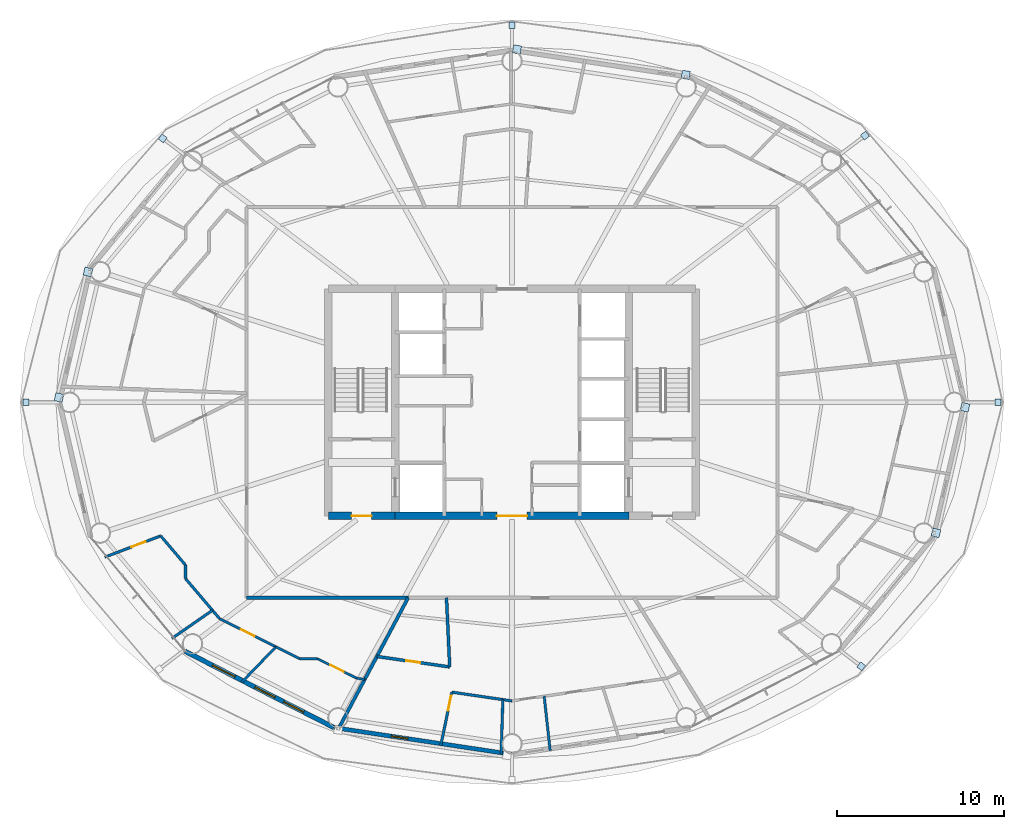
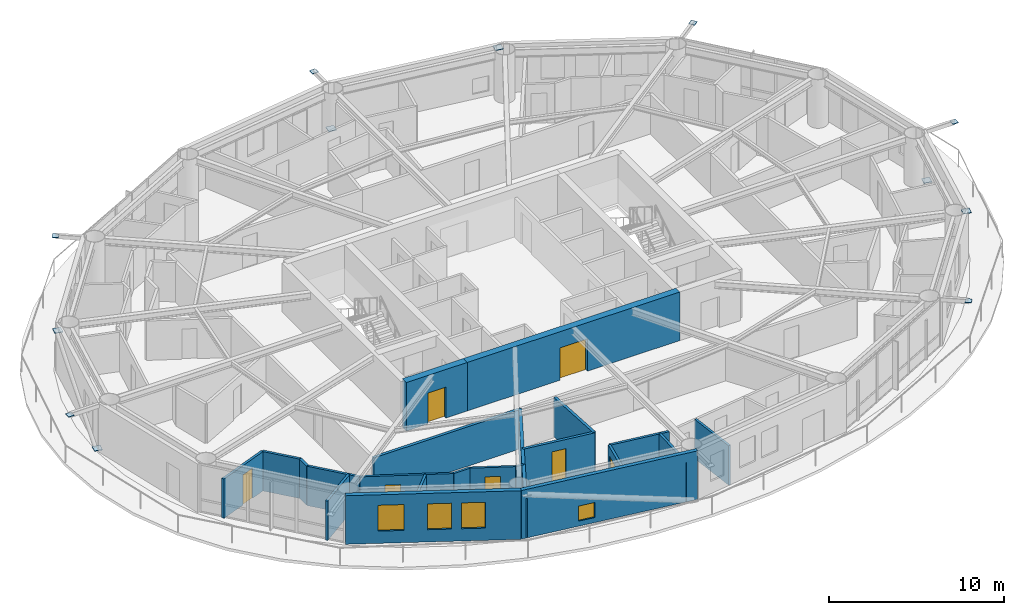
# One storey, part 19 of 27: 24 walls, 12 plates, 7 doors, 4 windows, 11 openings.
"""IFC4 building model written with IfcOpenShell, lengths in metres."""

from ifc_helpers import new_model, si_unit, direction, frame, frame_2d, origin, origin_2d, place, context, subcontext, project, spatial, rectangle, extrude, material, layer, layer_set, type_object, element, fill, save


model = new_model("IFC4")

# Units and contexts
model_context = context("Model", 3, precision=1e-05, world=origin(), true_north=direction((0.0, 1.0)))
body_context = subcontext(model_context, "Body", "Model", "MODEL_VIEW")
ifc_project = project(units=[si_unit("LENGTHUNIT", "METRE"), si_unit("AREAUNIT", "SQUARE_METRE"), si_unit("VOLUMEUNIT", "CUBIC_METRE"), si_unit("PLANEANGLEUNIT", "RADIAN"), si_unit("MASSUNIT", "GRAM", prefix="KILO")], contexts=[model_context])

# Site, building, storey
site_placement = place(None, origin())
site = spatial("IfcSite", under=ifc_project, at=site_placement, CompositionType="ELEMENT")
building_placement = place(site_placement, origin())
building = spatial("IfcBuilding", under=site, at=building_placement, Name="Sarneth Arch Tower", CompositionType="ELEMENT")
storey_placement = place(building_placement, frame((0.0, 0.0, 193.800048828125)))
storey = spatial("IfcBuildingStorey", under=building, at=storey_placement, Name="L49", CompositionType="ELEMENT", Elevation=193.800048828125)

# Plates
ifc_material_1 = material(Name="Steel S355", Category="steel")
ifc_layer_1 = layer(ifc_material_1, 0.035888671875)
ifc_layer_set_1 = layer_set([ifc_layer_1], Name="Steel S355")
plate_type = type_object("IfcPlateType", Name="PLT-GUSSET-30", PredefinedType="SHEET", material=ifc_layer_set_1)
for number, where, z_axis, x_axis, name in (
    (1, (77.10009765625, 42.0, 3.2021484375), (0.0, 0.0, 1.0), (1.0, 0.0, 0.0), "Steel end cap plate GP-1"),
    (2, (69.13818359375, 57.97509765625, 3.2021484375), (0.0, 0.0, 1.0), (0.797794439539, 0.602929541689, 0.0), "Steel end cap plate GP-1"),
):
    element("IfcPlate", number, at=place(storey_placement, frame(where, z_axis=z_axis, x_axis=x_axis)), inside=storey, type_object=plate_type, Name=name, PredefinedType="SHEET", context=body_context, shape_type="SweptSolid", body=[
        extrude(rectangle(XDim=0.3798828125, YDim=0.3798828125, at=origin_2d()), origin(), (0.0, 0.0, 1.0), 0.035888671875),
    ])
for number, where, z_axis, x_axis, name in (
    (3, (48.296630859375, 63.13525390625, 0.001953125), (0.0, 0.0, 1.0), (-0.98883454203, 0.149017611339, 0.0), "Steel end cap plate GP-1"),
    (4, (58.404296875, 61.612548828125, 3.03271484375), (0.0, 0.0, 1.0), (-0.98883454203, 0.149017611339, 0.0), "Steel end cap plate GP-1"),
):
    element("IfcPlate", number, at=place(storey_placement, frame(where, z_axis=z_axis, x_axis=x_axis)), inside=storey, type_object=plate_type, Name=name, PredefinedType="SHEET", context=body_context, shape_type="SweptSolid", body=[
        extrude(rectangle(XDim=0.486083984375, YDim=0.486083984375, at=origin_2d()), origin(), (0.0, 0.0, 1.0), 0.035888671875),
    ])
for number, where, z_axis, x_axis, name in (
    (5, (48.0, 64.5869140625, 3.2021484375), (0.0, 0.0, 1.0), (0.0, 1.0, 0.0), "Steel end cap plate GP-1"),
    (6, (27.0810546875, 57.809326171875, 3.2021484375), (0.0, 0.0, 1.0), (-0.797794439539, 0.602929541689, 0.0), "Steel end cap plate GP-1"),
):
    element("IfcPlate", number, at=place(storey_placement, frame(where, z_axis=z_axis, x_axis=x_axis)), inside=storey, type_object=plate_type, Name=name, PredefinedType="SHEET", context=body_context, shape_type="SweptSolid", body=[
        extrude(rectangle(XDim=0.3798828125, YDim=0.3798828125, at=origin_2d()), origin(), (0.0, 0.0, 1.0), 0.035888671875),
    ])
for number, where, z_axis, x_axis, name in (
    (7, (20.87109375, 42.292236328125, 0.001953125), (0.0, 0.0, 1.0), (-0.225291159947, -0.974291482694, 0.0), "Steel end cap plate GP-1"),
    (8, (22.609619140625, 49.81298828125, 3.03271484375), (0.0, 0.0, 1.0), (-0.225291159947, -0.974291482694, 0.0), "Steel end cap plate GP-1"),
):
    element("IfcPlate", number, at=place(storey_placement, frame(where, z_axis=z_axis, x_axis=x_axis)), inside=storey, type_object=plate_type, Name=name, PredefinedType="SHEET", context=body_context, shape_type="SweptSolid", body=[
        extrude(rectangle(XDim=0.486083984375, YDim=0.486083984375, at=origin_2d()), origin(), (0.0, 0.0, 1.0), 0.035888671875),
    ])
for number, where, z_axis, x_axis, name in (
    (9, (18.89990234375, 42.0, 3.2021484375), (0.0, 0.0, 1.0), (-1.0, 0.0, 0.0), "Steel end cap plate GP-1"),
    (10, (68.9189453125, 26.190673828125, 3.2021484375), (0.0, 0.0, 1.0), (0.797794439539, -0.602929541689, 0.0), "Steel end cap plate GP-1"),
):
    element("IfcPlate", number, at=place(storey_placement, frame(where, z_axis=z_axis, x_axis=x_axis)), inside=storey, type_object=plate_type, Name=name, PredefinedType="SHEET", context=body_context, shape_type="SweptSolid", body=[
        extrude(rectangle(XDim=0.3798828125, YDim=0.3798828125, at=origin_2d()), origin(), (0.0, 0.0, 1.0), 0.035888671875),
    ])
for number, where, z_axis, x_axis, name in (
    (11, (75.12890625, 41.707763671875, 0.001953125), (0.0, 0.0, 1.0), (0.225291159947, 0.974291482694, 0.0), "Steel end cap plate GP-1"),
    (12, (73.390380859375, 34.18701171875, 3.03271484375), (0.0, 0.0, 1.0), (0.225291159947, 0.974291482694, 0.0), "Steel end cap plate GP-1"),
):
    element("IfcPlate", number, at=place(storey_placement, frame(where, z_axis=z_axis, x_axis=x_axis)), inside=storey, type_object=plate_type, Name=name, PredefinedType="SHEET", context=body_context, shape_type="SweptSolid", body=[
        extrude(rectangle(XDim=0.486083984375, YDim=0.486083984375, at=origin_2d()), origin(), (0.0, 0.0, 1.0), 0.035888671875),
    ])

# Wall, opening, door
ifc_material_2 = material(Name="Concrete C50/60", Category="concrete")
ifc_layer_2 = layer(ifc_material_2, 0.449951171875)
ifc_layer_set_2 = layer_set([ifc_layer_2], Name="Concrete C50/60")
wall_type_1 = type_object("IfcWallType", Name="WALL-CORE-450", PredefinedType="SHEAR", material=ifc_layer_set_2)
wall_1_placement = place(storey_placement, frame((37.0, 35.199951171875, 0.0), z_axis=(0.0, 0.0, 1.0), x_axis=(1.0, 0.0, 0.0)))
wall_1 = element("IfcWall", 13, at=wall_1_placement, inside=storey, type_object=wall_type_1, Name="L49 Core shear wall S-W", PredefinedType="SHEAR", context=body_context, shape_type="SweptSolid", body=[
    extrude(rectangle(XDim=4.0, YDim=0.449951171875, at=frame_2d((2.0, 0.0))), origin(), (0.0, 0.0, 1.0), 3.3798828125),
])
opening_1_placement = place(wall_1_placement, frame((1.39990234375, 0.0, 0.0)))
opening_1 = element("IfcOpeningElement", 14, at=opening_1_placement, cuts=wall_1, Name="Opening FD-02", PredefinedType="OPENING", context=body_context, shape_type="SweptSolid", body=[
    extrude(rectangle(XDim=1.199951171875, YDim=2.14990234375, at=frame_2d((0.60009765625, 1.074951171875))), frame((0.0, 0.23486328125, 0.0), z_axis=(0.0, -1.0, 0.0), x_axis=(1.0, 0.0, 0.0)), (0.0, 0.0, 1.0), 0.469970703125),
])
ifc_material_3 = material(Name="Galvanised Steel S275 fire door set", Category="steel")
door_type_1 = type_object("IfcDoorType", Name="DR-FD90-1200", OperationType="SINGLE_SWING_LEFT", PredefinedType="DOOR", material=ifc_material_3)
door_1_placement = place(opening_1_placement, origin())
door_1 = element("IfcDoor", 15, at=door_1_placement, inside=storey, type_object=door_type_1, Name="L49 Firefighting lobby 1 exit door", OperationType="SINGLE_SWING_LEFT", OverallHeight=2.14990234375, OverallWidth=1.199951171875, PredefinedType="DOOR", context=body_context, shape_type="SweptSolid", body=[
    extrude(rectangle(XDim=1.199951171875, YDim=2.14990234375, at=frame_2d((0.60009765625, 1.074951171875))), frame((0.0, 0.02490234375, 0.0), z_axis=(0.0, -1.0, 0.0), x_axis=(1.0, 0.0, 0.0)), (0.0, 0.0, 1.0), 0.050048828125),
])
fill(opening_1, door_1)

wall_2_placement = place(storey_placement, frame((41.0, 35.199951171875, 0.0), z_axis=(0.0, 0.0, 1.0), x_axis=(1.0, 0.0, 0.0)))
wall_2 = element("IfcWall", 16, at=wall_2_placement, inside=storey, type_object=wall_type_1, Name="L49 Core shear wall S-M", PredefinedType="SHEAR", context=body_context, shape_type="SweptSolid", body=[
    extrude(rectangle(XDim=14.0, YDim=0.449951171875, at=frame_2d((7.0, 0.0))), origin(), (0.0, 0.0, 1.0), 3.3798828125),
])
opening_2_placement = place(wall_2_placement, frame((6.10009765625, 0.0, 0.0)))
opening_2 = element("IfcOpeningElement", 17, at=opening_2_placement, cuts=wall_2, Name="Opening FD-01", PredefinedType="OPENING", context=body_context, shape_type="SweptSolid", body=[
    extrude(rectangle(XDim=1.800048828125, YDim=2.25, at=frame_2d((0.89990234375, 1.125))), frame((0.0, 0.23486328125, 0.0), z_axis=(0.0, -1.0, 0.0), x_axis=(1.0, 0.0, 0.0)), (0.0, 0.0, 1.0), 0.469970703125),
])
ifc_material_4 = material(Name="Galvanised Steel S275 fire door set", Category="steel")
door_type_2 = type_object("IfcDoorType", Name="DR-FD90-1800", OperationType="DOUBLE_DOOR_SINGLE_SWING", PredefinedType="DOOR", material=ifc_material_4)
door_2_placement = place(opening_2_placement, origin())
door_2 = element("IfcDoor", 18, at=door_2_placement, inside=storey, type_object=door_type_2, Name="L49 Central lift lobby south door", OperationType="DOUBLE_DOOR_SINGLE_SWING", OverallHeight=2.25, OverallWidth=1.800048828125, PredefinedType="DOOR", context=body_context, shape_type="SweptSolid", body=[
    extrude(rectangle(XDim=1.800048828125, YDim=2.25, at=frame_2d((0.89990234375, 1.125))), frame((0.0, 0.02490234375, 0.0), z_axis=(0.0, -1.0, 0.0), x_axis=(1.0, 0.0, 0.0)), (0.0, 0.0, 1.0), 0.050048828125),
])
fill(opening_2, door_2)

# Wall
ifc_material_5 = material(Name="Double steel-stud corridor fire wall", Category="steel")
ifc_layer_3 = layer(ifc_material_5, 0.18994140625)
ifc_layer_set_3 = layer_set([ifc_layer_3], Name="Double steel-stud corridor fire wall")
wall_type_2 = type_object("IfcWallType", Name="WALL-CORR-190", PredefinedType="PARTITIONING", material=ifc_layer_set_3)
wall_3_placement = place(storey_placement, frame((41.815185546875, 30.300048828125, 0.0), z_axis=(0.0, 0.0, 1.0), x_axis=(-1.0, 0.0, 0.0)))
element("IfcWall", 19, at=wall_3_placement, inside=storey, type_object=wall_type_2, Name="L49 Interior partition W-L49-TP-011", PredefinedType="PARTITIONING", context=body_context, shape_type="SweptSolid", body=[
    extrude(rectangle(XDim=9.715087890625, YDim=0.18994140625, at=frame_2d((4.857421875, 0.0))), origin(), (0.0, 0.0, 1.0), 2.739990234375),
])

# Wall, opening, window
ifc_material_6 = material(Name="Extruded terracotta rainscreen on Concrete C40/50 backing", Category="masonry")
ifc_layer_4 = layer(ifc_material_6, 0.25)
ifc_layer_set_4 = layer_set([ifc_layer_4], Name="Extruded terracotta rainscreen on Concrete C40/50 backing")
wall_type_3 = type_object("IfcWallType", Name="WALL-EXT-SPAND-250", PredefinedType="SOLIDWALL", material=ifc_layer_set_4)
wall_4_placement = place(storey_placement, frame((37.337158203125, 22.524658203125, 0.0), z_axis=(0.0, 0.0, 1.0), x_axis=(0.988863993413, -0.148822049884, 0.0)))
wall_4 = element("IfcWall", 20, at=wall_4_placement, inside=storey, type_object=wall_type_3, Name="L49 Terracotta perimeter wall 12", PredefinedType="SOLIDWALL", context=body_context, shape_type="SweptSolid", body=[
    extrude(rectangle(XDim=10.782958984375, YDim=0.25, at=frame_2d((5.3916015625, 0.0))), origin(), (0.0, 0.0, 1.0), 3.3798828125),
])
opening_3_placement = place(wall_4_placement, frame((3.482177734375, 0.0, 0.35009765625)))
opening_3 = element("IfcOpeningElement", 21, at=opening_3_placement, cuts=wall_4, Name="Opening W-14", PredefinedType="OPENING", context=body_context, shape_type="SweptSolid", body=[
    extrude(rectangle(XDim=1.0, YDim=1.050048828125, at=frame_2d((0.5, 0.52490234375))), frame((0.0, 0.135009765625, 0.0), z_axis=(0.0, -1.0, 0.0), x_axis=(1.0, 0.0, 0.0)), (0.0, 0.0, 1.0), 0.27001953125),
])
ifc_material_7 = material(Name="Thermally broken Aluminium 6063-T6 and low-e laminated IGU", Category="aluminium")
window_type_1 = type_object("IfcWindowType", Name="WIN-TWR-1000x1050", PartitioningType="SINGLE_PANEL", PredefinedType="WINDOW", material=ifc_material_7)
window_1_placement = place(opening_3_placement, origin())
window_1 = element("IfcWindow", 22, at=window_1_placement, inside=storey, type_object=window_type_1, Name="L49 Dwelling bedroom window 03", OverallHeight=1.050048828125, OverallWidth=1.0, PartitioningType="SINGLE_PANEL", PredefinedType="WINDOW", context=body_context, shape_type="SweptSolid", body=[
    extrude(rectangle(XDim=1.0, YDim=1.050048828125, at=frame_2d((0.5, 0.52490234375))), frame((0.0, 0.030029296875, 0.0), z_axis=(0.0, -1.0, 0.0), x_axis=(1.0, 0.0, 0.0)), (0.0, 0.0, 1.0), 0.06005859375),
])
fill(opening_3, window_1)

# Wall, openings, windows
ifc_material_8 = material(Name="Extruded terracotta rainscreen on Concrete C40/50 backing", Category="masonry")
ifc_layer_5 = layer(ifc_material_8, 0.280029296875)
ifc_layer_set_5 = layer_set([ifc_layer_5], Name="Extruded terracotta rainscreen on Concrete C40/50 backing")
wall_type_4 = type_object("IfcWallType", Name="WALL-EXT-TERRA-280", PredefinedType="SOLIDWALL", material=ifc_layer_set_5)
wall_5_placement = place(storey_placement, frame((28.423828125, 27.09423828125, 0.0), z_axis=(0.0, 0.0, 1.0), x_axis=(0.889872523182, -0.456209263919, 0.0)))
wall_5 = element("IfcWall", 23, at=wall_5_placement, inside=storey, type_object=wall_type_4, Name="L49 Terracotta perimeter wall 11", PredefinedType="SOLIDWALL", context=body_context, shape_type="SweptSolid", body=[
    extrude(rectangle(XDim=10.016357421875, YDim=0.280029296875, at=frame_2d((5.00830078125, 0.0))), origin(), (0.0, 0.0, 1.0), 3.3798828125),
])
opening_4_placement = place(wall_5_placement, frame((1.85009765625, 0.0, 0.85009765625)))
opening_4 = element("IfcOpeningElement", 24, at=opening_4_placement, cuts=wall_5, Name="Opening W-07", PredefinedType="OPENING", context=body_context, shape_type="SweptSolid", body=[
    extrude(rectangle(XDim=1.5, YDim=1.800048828125, at=frame_2d((0.75, 0.89990234375))), frame((0.0, 0.14990234375, 0.0), z_axis=(0.0, -1.0, 0.0), x_axis=(1.0, 0.0, 0.0)), (0.0, 0.0, 1.0), 0.300048828125),
])
opening_5_placement = place(wall_5_placement, frame((4.695068359375, 0.0, 0.85009765625)))
opening_5 = element("IfcOpeningElement", 25, at=opening_5_placement, cuts=wall_5, Name="Opening W-08", PredefinedType="OPENING", context=body_context, shape_type="SweptSolid", body=[
    extrude(rectangle(XDim=1.35009765625, YDim=1.800048828125, at=frame_2d((0.675048828125, 0.89990234375))), frame((0.0, 0.14990234375, 0.0), z_axis=(0.0, -1.0, 0.0), x_axis=(1.0, 0.0, 0.0)), (0.0, 0.0, 1.0), 0.300048828125),
])
opening_6_placement = place(wall_5_placement, frame((6.630126953125, 0.0, 0.85009765625)))
opening_6 = element("IfcOpeningElement", 26, at=opening_6_placement, cuts=wall_5, Name="Opening W-08", PredefinedType="OPENING", context=body_context, shape_type="SweptSolid", body=[
    extrude(rectangle(XDim=1.35009765625, YDim=1.800048828125, at=frame_2d((0.675048828125, 0.89990234375))), frame((0.0, 0.14990234375, 0.0), z_axis=(0.0, -1.0, 0.0), x_axis=(1.0, 0.0, 0.0)), (0.0, 0.0, 1.0), 0.300048828125),
])
ifc_material_9 = material(Name="Thermally broken Aluminium 6063-T6 and low-e laminated IGU", Category="aluminium")
window_type_2 = type_object("IfcWindowType", Name="WIN-TWR-1350x1800", PartitioningType="SINGLE_PANEL", PredefinedType="WINDOW", material=ifc_material_9)
window_2_placement = place(opening_5_placement, origin())
window_2 = element("IfcWindow", 27, at=window_2_placement, inside=storey, type_object=window_type_2, Name="L49 Exterior window 11B", OverallHeight=1.800048828125, OverallWidth=1.35009765625, PartitioningType="SINGLE_PANEL", PredefinedType="WINDOW", context=body_context, shape_type="SweptSolid", body=[
    extrude(rectangle(XDim=1.35009765625, YDim=1.800048828125, at=frame_2d((0.675048828125, 0.89990234375))), frame((0.0, 0.030029296875, 0.0), z_axis=(0.0, -1.0, 0.0), x_axis=(1.0, 0.0, 0.0)), (0.0, 0.0, 1.0), 0.06005859375),
])
fill(opening_5, window_2)
window_3_placement = place(opening_6_placement, origin())
window_3 = element("IfcWindow", 28, at=window_3_placement, inside=storey, type_object=window_type_2, Name="L49 Exterior window 11C", OverallHeight=1.800048828125, OverallWidth=1.35009765625, PartitioningType="SINGLE_PANEL", PredefinedType="WINDOW", context=body_context, shape_type="SweptSolid", body=[
    extrude(rectangle(XDim=1.35009765625, YDim=1.800048828125, at=frame_2d((0.675048828125, 0.89990234375))), frame((0.0, 0.030029296875, 0.0), z_axis=(0.0, -1.0, 0.0), x_axis=(1.0, 0.0, 0.0)), (0.0, 0.0, 1.0), 0.06005859375),
])
fill(opening_6, window_3)
ifc_material_10 = material(Name="Thermally broken Aluminium 6063-T6 and low-e laminated IGU", Category="aluminium")
window_type_3 = type_object("IfcWindowType", Name="WIN-TWR-1500x1800", PartitioningType="SINGLE_PANEL", PredefinedType="WINDOW", material=ifc_material_10)
window_4_placement = place(opening_4_placement, origin())
window_4 = element("IfcWindow", 29, at=window_4_placement, inside=storey, type_object=window_type_3, Name="L49 Exterior window 11A", OverallHeight=1.800048828125, OverallWidth=1.5, PartitioningType="SINGLE_PANEL", PredefinedType="WINDOW", context=body_context, shape_type="SweptSolid", body=[
    extrude(rectangle(XDim=1.5, YDim=1.800048828125, at=frame_2d((0.75, 0.89990234375))), frame((0.0, 0.030029296875, 0.0), z_axis=(0.0, -1.0, 0.0), x_axis=(1.0, 0.0, 0.0)), (0.0, 0.0, 1.0), 0.06005859375),
])
fill(opening_4, window_4)

# Wall, opening, door
ifc_material_11 = material(Name="Apartment internal stud partition", Category="gypsum")
ifc_layer_6 = layer(ifc_material_11, 0.139892578125)
ifc_layer_set_6 = layer_set([ifc_layer_6], Name="Apartment internal stud partition")
wall_type_5 = type_object("IfcWallType", Name="WALL-PART-140", PredefinedType="PARTITIONING", material=ifc_layer_set_6)
wall_6_placement = place(storey_placement, frame((36.348876953125, 26.64990234375, 0.0), z_axis=(0.0, 0.0, 1.0), x_axis=(0.895041110332, -0.445983644112, 0.0)))
wall_6 = element("IfcWall", 30, at=wall_6_placement, inside=storey, type_object=wall_type_5, Name="L49 Interior partition W-L49-TP-087", PredefinedType="PARTITIONING", context=body_context, shape_type="SweptSolid", body=[
    extrude(rectangle(XDim=2.62109375, YDim=0.139892578125, at=frame_2d((1.310546875, 0.0))), origin(), (0.0, 0.0, 1.0), 2.739990234375),
])
opening_7_placement = place(wall_6_placement, frame((0.860595703125, 0.0, 0.0)))
opening_7 = element("IfcOpeningElement", 31, at=opening_7_placement, cuts=wall_6, Name="Opening ID-01", PredefinedType="OPENING", context=body_context, shape_type="SweptSolid", body=[
    extrude(rectangle(XDim=0.89990234375, YDim=2.10009765625, at=frame_2d((0.449951171875, 1.050048828125))), frame((0.0, 0.079833984375, 0.0), z_axis=(0.0, -1.0, 0.0), x_axis=(1.0, 0.0, 0.0)), (0.0, 0.0, 1.0), 0.159912109375),
])
ifc_material_12 = material(Name="Engineered hardwood flush door", Category="wood")
door_type_3 = type_object("IfcDoorType", Name="DR-INT-900", OperationType="SINGLE_SWING_LEFT", PredefinedType="DOOR", material=ifc_material_12)
door_3_placement = place(opening_7_placement, origin())
door_3 = element("IfcDoor", 32, at=door_3_placement, inside=storey, type_object=door_type_3, Name="L49 Interior door DR-L49-U4-BED2", OperationType="SINGLE_SWING_LEFT", OverallHeight=2.10009765625, OverallWidth=0.89990234375, PredefinedType="DOOR", context=body_context, shape_type="SweptSolid", body=[
    extrude(rectangle(XDim=0.89990234375, YDim=2.10009765625, at=frame_2d((0.449951171875, 1.050048828125))), frame((0.0, 0.02490234375, 0.0), z_axis=(0.0, -1.0, 0.0), x_axis=(1.0, 0.0, 0.0)), (0.0, 0.0, 1.0), 0.050048828125),
])
fill(opening_7, door_3)

# Walls
wall_7_placement = place(storey_placement, frame((33.8623046875, 27.360107421875, 0.0), z_axis=(0.0, 0.0, 1.0), x_axis=(0.894917522296, -0.446231585937, 0.0)))
element("IfcWall", 33, at=wall_7_placement, inside=storey, type_object=wall_type_5, Name="L49 Interior partition W-L49-TP-085", PredefinedType="PARTITIONING", context=body_context, shape_type="SweptSolid", body=[
    extrude(rectangle(XDim=1.591552734375, YDim=0.139892578125, at=frame_2d((0.7958984375, 0.0))), origin(), (0.0, 0.0, 1.0), 2.739990234375),
])
wall_8_placement = place(storey_placement, frame((35.28662109375, 26.64990234375, 0.0), z_axis=(0.0, 0.0, 1.0), x_axis=(1.0, 0.0, 0.0)))
element("IfcWall", 34, at=wall_8_placement, inside=storey, type_object=wall_type_5, Name="L49 Interior partition W-L49-TP-086", PredefinedType="PARTITIONING", context=body_context, shape_type="SweptSolid", body=[
    extrude(rectangle(XDim=1.062255859375, YDim=0.139892578125, at=frame_2d((0.53125, 0.0))), origin(), (0.0, 0.0, 1.0), 2.739990234375),
])
wall_9_placement = place(storey_placement, frame((38.69482421875, 25.48095703125, 0.0), z_axis=(0.0, 0.0, 1.0), x_axis=(0.989485449351, -0.144632449754, 0.0)))
element("IfcWall", 35, at=wall_9_placement, inside=storey, type_object=wall_type_5, Name="L49 Interior partition W-L49-TP-088", PredefinedType="PARTITIONING", context=body_context, shape_type="SweptSolid", body=[
    extrude(rectangle(XDim=0.489501953125, YDim=0.139892578125, at=frame_2d((0.24462890625, 0.0))), origin(), (0.0, 0.0, 1.0), 2.739990234375),
])

# Wall, opening, door
ifc_material_13 = material(Name="Acoustic gypsum stud partition", Category="gypsum")
ifc_layer_7 = layer(ifc_material_13, 0.14990234375)
ifc_layer_set_7 = layer_set([ifc_layer_7], Name="Acoustic gypsum stud partition")
wall_type_6 = type_object("IfcWallType", Name="WALL-PART-150", PredefinedType="PARTITIONING", material=ifc_layer_set_7)
wall_10_placement = place(storey_placement, frame((30.4951171875, 29.038818359375, 0.0), z_axis=(0.0, 0.0, 1.0), x_axis=(0.894945698469, -0.44617507415, 0.0)))
wall_10 = element("IfcWall", 36, at=wall_10_placement, inside=storey, type_object=wall_type_6, Name="L49 Interior partition W-L49-TP-084", PredefinedType="PARTITIONING", context=body_context, shape_type="SweptSolid", body=[
    extrude(rectangle(XDim=3.762451171875, YDim=0.14990234375, at=frame_2d((1.88134765625, 0.0))), origin(), (0.0, 0.0, 1.0), 2.739990234375),
])
opening_8_placement = place(wall_10_placement, frame((1.43115234375, 0.0, 0.0)))
opening_8 = element("IfcOpeningElement", 37, at=opening_8_placement, cuts=wall_10, Name="Opening ID-01", PredefinedType="OPENING", context=body_context, shape_type="SweptSolid", body=[
    extrude(rectangle(XDim=0.89990234375, YDim=2.10009765625, at=frame_2d((0.449951171875, 1.050048828125))), frame((0.0, 0.0849609375, 0.0), z_axis=(0.0, -1.0, 0.0), x_axis=(1.0, 0.0, 0.0)), (0.0, 0.0, 1.0), 0.169921875),
])
door_4_placement = place(opening_8_placement, origin())
door_4 = element("IfcDoor", 38, at=door_4_placement, inside=storey, type_object=door_type_3, Name="L49 Interior door DR-L49-U4-BED1", OperationType="SINGLE_SWING_LEFT", OverallHeight=2.10009765625, OverallWidth=0.89990234375, PredefinedType="DOOR", context=body_context, shape_type="SweptSolid", body=[
    extrude(rectangle(XDim=0.89990234375, YDim=2.10009765625, at=frame_2d((0.449951171875, 1.050048828125))), frame((0.0, 0.02490234375, 0.0), z_axis=(0.0, -1.0, 0.0), x_axis=(1.0, 0.0, 0.0)), (0.0, 0.0, 1.0), 0.050048828125),
])
fill(opening_8, door_4)

# Walls
wall_11_placement = place(storey_placement, frame((50.28466796875, 21.142578125, 0.0), z_axis=(0.0, 0.0, 1.0), x_axis=(-0.108935832995, 0.994048783657, 0.0)))
element("IfcWall", 39, at=wall_11_placement, inside=storey, type_object=wall_type_6, Name="L49 Interior partition W-L49-TP-105", PredefinedType="PARTITIONING", context=body_context, shape_type="SweptSolid", body=[
    extrude(rectangle(XDim=3.27880859375, YDim=0.14990234375, at=frame_2d((1.639404296875, 0.0))), origin(), (0.0, 0.0, 1.0), 2.739990234375),
])
wall_12_placement = place(storey_placement, frame((33.8623046875, 27.360107421875, 0.0), z_axis=(0.0, 0.0, 1.0), x_axis=(-0.694625426755, -0.719371612246, 0.0)))
element("IfcWall", 40, at=wall_12_placement, inside=storey, type_object=wall_type_6, Name="L49 Interior partition W-L49-TP-092", PredefinedType="PARTITIONING", context=body_context, shape_type="SweptSolid", body=[
    extrude(rectangle(XDim=2.959716796875, YDim=0.14990234375, at=frame_2d((1.47998046875, 0.0))), origin(), (0.0, 0.0, 1.0), 2.739990234375),
])

# Wall, opening, door
ifc_material_14 = material(Name="Kitchen wet service chase wall", Category="gypsum")
ifc_layer_8 = layer(ifc_material_14, 0.159912109375)
ifc_layer_set_8 = layer_set([ifc_layer_8], Name="Kitchen wet service chase wall")
wall_type_7 = type_object("IfcWallType", Name="WALL-PLUMB-160", PredefinedType="PLUMBINGWALL", material=ifc_layer_set_8)
wall_13_placement = place(storey_placement, frame((26.961669921875, 34.004638671875, 0.0), z_axis=(0.0, 0.0, 1.0), x_axis=(-0.934799422257, -0.355176069222, 0.0)))
wall_13 = element("IfcWall", 41, at=wall_13_placement, inside=storey, type_object=wall_type_7, Name="L49 Interior partition W-L49-TP-079", PredefinedType="PLUMBINGWALL", context=body_context, shape_type="SweptSolid", body=[
    extrude(rectangle(XDim=3.58203125, YDim=0.159912109375, at=frame_2d((1.791015625, 0.0))), origin(), (0.0, 0.0, 1.0), 2.739990234375),
])
opening_9_placement = place(wall_13_placement, frame((0.98095703125, 0.0, 0.0)))
opening_9 = element("IfcOpeningElement", 42, at=opening_9_placement, cuts=wall_13, Name="Opening ID-01", PredefinedType="OPENING", context=body_context, shape_type="SweptSolid", body=[
    extrude(rectangle(XDim=0.89990234375, YDim=2.10009765625, at=frame_2d((0.449951171875, 1.050048828125))), frame((0.0, 0.08984375, 0.0), z_axis=(0.0, -1.0, 0.0), x_axis=(1.0, 0.0, 0.0)), (0.0, 0.0, 1.0), 0.179931640625),
])
door_5_placement = place(opening_9_placement, origin())
door_5 = element("IfcDoor", 43, at=door_5_placement, inside=storey, type_object=door_type_3, Name="L49 Interior door DR-L49-U4-KIT", OperationType="SINGLE_SWING_RIGHT", OverallHeight=2.10009765625, OverallWidth=0.89990234375, PredefinedType="DOOR", context=body_context, shape_type="SweptSolid", body=[
    extrude(rectangle(XDim=0.89990234375, YDim=2.10009765625, at=frame_2d((0.449951171875, 1.050048828125))), frame((0.0, 0.02490234375, 0.0), z_axis=(0.0, -1.0, 0.0), x_axis=(1.0, 0.0, 0.0)), (0.0, 0.0, 1.0), 0.050048828125),
])
fill(opening_9, door_5)

# Wall
wall_14_placement = place(storey_placement, frame((47.451416015625, 24.2001953125, 0.0), z_axis=(0.0, 0.0, 1.0), x_axis=(-0.03081032148, -0.999525249351, 0.0)))
element("IfcWall", 44, at=wall_14_placement, inside=storey, type_object=wall_type_7, Name="L49 Interior partition W-L49-TP-104", PredefinedType="PLUMBINGWALL", context=body_context, shape_type="SweptSolid", body=[
    extrude(rectangle(XDim=3.30419921875, YDim=0.159912109375, at=frame_2d((1.652099609375, 0.0))), origin(), (0.0, 0.0, 1.0), 2.739990234375),
])

# Wall, opening, door
wall_15_placement = place(storey_placement, frame((43.733154296875, 21.44091796875, 0.0), z_axis=(0.0, 0.0, 1.0), x_axis=(0.203194875639, 0.979138316334, 0.0)))
wall_15 = element("IfcWall", 45, at=wall_15_placement, inside=storey, type_object=wall_type_7, Name="L49 Interior partition W-L49-TP-094", PredefinedType="PLUMBINGWALL", context=body_context, shape_type="SweptSolid", body=[
    extrude(rectangle(XDim=3.274169921875, YDim=0.159912109375, at=frame_2d((1.63720703125, 0.0))), origin(), (0.0, 0.0, 1.0), 2.739990234375),
])
opening_10_placement = place(wall_15_placement, frame((2.147216796875, 0.0, 0.0)))
opening_10 = element("IfcOpeningElement", 46, at=opening_10_placement, cuts=wall_15, Name="Opening ID-01", PredefinedType="OPENING", context=body_context, shape_type="SweptSolid", body=[
    extrude(rectangle(XDim=0.89990234375, YDim=2.10009765625, at=frame_2d((0.449951171875, 1.050048828125))), frame((0.0, 0.08984375, 0.0), z_axis=(0.0, -1.0, 0.0), x_axis=(1.0, 0.0, 0.0)), (0.0, 0.0, 1.0), 0.179931640625),
])
door_6_placement = place(opening_10_placement, origin())
door_6 = element("IfcDoor", 47, at=door_6_placement, inside=storey, type_object=door_type_3, Name="L49 Interior door DR-L49-U5-KIT", OperationType="SINGLE_SWING_RIGHT", OverallHeight=2.10009765625, OverallWidth=0.89990234375, PredefinedType="DOOR", context=body_context, shape_type="SweptSolid", body=[
    extrude(rectangle(XDim=0.89990234375, YDim=2.10009765625, at=frame_2d((0.449951171875, 1.050048828125))), frame((0.0, 0.02490234375, 0.0), z_axis=(0.0, -1.0, 0.0), x_axis=(1.0, 0.0, 0.0)), (0.0, 0.0, 1.0), 0.050048828125),
])
fill(opening_10, door_6)

# Walls
wall_16_placement = place(storey_placement, frame((44.3984375, 24.646728515625, 0.0), z_axis=(0.0, 0.0, 1.0), x_axis=(0.989478635987, -0.144679054896, 0.0)))
element("IfcWall", 48, at=wall_16_placement, inside=storey, type_object=wall_type_7, Name="L49 Interior partition W-L49-TP-095", PredefinedType="PLUMBINGWALL", context=body_context, shape_type="SweptSolid", body=[
    extrude(rectangle(XDim=3.639892578125, YDim=0.159912109375, at=frame_2d((1.81982421875, 0.0))), origin(), (0.0, 0.0, 1.0), 2.739990234375),
])
wall_17_placement = place(storey_placement, frame((30.061767578125, 29.54833984375, 0.0), z_axis=(0.0, 0.0, 1.0), x_axis=(-0.821498907673, -0.570210088207, 0.0)))
element("IfcWall", 49, at=wall_17_placement, inside=storey, type_object=wall_type_7, Name="L49 Interior partition W-L49-TP-091", PredefinedType="PLUMBINGWALL", context=body_context, shape_type="SweptSolid", body=[
    extrude(rectangle(XDim=2.95654296875, YDim=0.159912109375, at=frame_2d((1.478271484375, 0.0))), origin(), (0.0, 0.0, 1.0), 2.739990234375),
])
wall_18_placement = place(storey_placement, frame((30.4951171875, 29.038818359375, 0.0), z_axis=(0.0, 0.0, 1.0), x_axis=(-0.647888606369, 0.761735094201, 0.0)))
element("IfcWall", 50, at=wall_18_placement, inside=storey, type_object=wall_type_7, Name="L49 Interior partition W-L49-TP-076", PredefinedType="PLUMBINGWALL", context=body_context, shape_type="SweptSolid", body=[
    extrude(rectangle(XDim=3.15673828125, YDim=0.159912109375, at=frame_2d((1.578369140625, 0.0))), origin(), (0.0, 0.0, 1.0), 2.739990234375),
])
wall_19_placement = place(storey_placement, frame((28.449951171875, 32.255615234375, 0.0), z_axis=(0.0, 0.0, 1.0), x_axis=(-0.648055662854, 0.761592973866, 0.0)))
element("IfcWall", 51, at=wall_19_placement, inside=storey, type_object=wall_type_7, Name="L49 Interior partition W-L49-TP-078", PredefinedType="PLUMBINGWALL", context=body_context, shape_type="SweptSolid", body=[
    extrude(rectangle(XDim=2.296630859375, YDim=0.159912109375, at=frame_2d((1.1484375, 0.0))), origin(), (0.0, 0.0, 1.0), 2.739990234375),
])
wall_20_placement = place(storey_placement, frame((28.449951171875, 31.443359375, 0.0), z_axis=(0.0, 0.0, 1.0), x_axis=(0.0, 1.0, 0.0)))
element("IfcWall", 52, at=wall_20_placement, inside=storey, type_object=wall_type_7, Name="L49 Interior partition W-L49-TP-077", PredefinedType="PLUMBINGWALL", context=body_context, shape_type="SweptSolid", body=[
    extrude(rectangle(XDim=0.812255859375, YDim=0.159912109375, at=frame_2d((0.40625, 0.0))), origin(), (0.0, 0.0, 1.0), 2.739990234375),
])

# Wall, opening, door
ifc_material_15 = material(Name="Moisture-resistant plumbing chase wall", Category="gypsum")
ifc_layer_9 = layer(ifc_material_15, 0.179931640625)
ifc_layer_set_9 = layer_set([ifc_layer_9], Name="Moisture-resistant plumbing chase wall")
wall_type_8 = type_object("IfcWallType", Name="WALL-PLUMB-180", PredefinedType="PLUMBINGWALL", material=ifc_layer_set_9)
wall_21_placement = place(storey_placement, frame((39.908935546875, 26.782958984375, 0.0), z_axis=(0.0, 0.0, 1.0), x_axis=(0.989831677838, -0.142243627443, 0.0)))
wall_21 = element("IfcWall", 53, at=wall_21_placement, inside=storey, type_object=wall_type_8, Name="L49 Interior partition W-L49-TP-096", PredefinedType="PLUMBINGWALL", context=body_context, shape_type="SweptSolid", body=[
    extrude(rectangle(XDim=4.406005859375, YDim=0.179931640625, at=frame_2d((2.203125, 0.0))), origin(), (0.0, 0.0, 1.0), 2.739990234375),
])
opening_11_placement = place(wall_21_placement, frame((1.77783203125, 0.0, 0.0)))
opening_11 = element("IfcOpeningElement", 54, at=opening_11_placement, cuts=wall_21, Name="Opening ID-02", PredefinedType="OPENING", context=body_context, shape_type="SweptSolid", body=[
    extrude(rectangle(XDim=0.85009765625, YDim=2.10009765625, at=frame_2d((0.425048828125, 1.050048828125))), frame((0.0, 0.099853515625, 0.0), z_axis=(0.0, -1.0, 0.0), x_axis=(1.0, 0.0, 0.0)), (0.0, 0.0, 1.0), 0.199951171875),
])
ifc_material_16 = material(Name="Moisture-resistant bathroom timber door", Category="wood")
door_type_4 = type_object("IfcDoorType", Name="DR-INT-850", OperationType="SINGLE_SWING_RIGHT", PredefinedType="DOOR", material=ifc_material_16)
door_7_placement = place(opening_11_placement, origin())
door_7 = element("IfcDoor", 55, at=door_7_placement, inside=storey, type_object=door_type_4, Name="L49 Interior door DR-L49-U5-BATH", OperationType="SINGLE_SWING_RIGHT", OverallHeight=2.10009765625, OverallWidth=0.85009765625, PredefinedType="DOOR", context=body_context, shape_type="SweptSolid", body=[
    extrude(rectangle(XDim=0.85009765625, YDim=2.10009765625, at=frame_2d((0.425048828125, 1.050048828125))), frame((0.0, 0.02490234375, 0.0), z_axis=(0.0, -1.0, 0.0), x_axis=(1.0, 0.0, 0.0)), (0.0, 0.0, 1.0), 0.050048828125),
])
fill(opening_11, door_7)

# Walls
wall_22_placement = place(storey_placement, frame((44.27001953125, 26.15625, 0.0), z_axis=(0.0, 0.0, 1.0), x_axis=(-0.046552902745, 0.998915825906, 0.0)))
element("IfcWall", 56, at=wall_22_placement, inside=storey, type_object=wall_type_8, Name="L49 Interior partition W-L49-TP-097", PredefinedType="PLUMBINGWALL", context=body_context, shape_type="SweptSolid", body=[
    extrude(rectangle(XDim=4.148193359375, YDim=0.179931640625, at=frame_2d((2.07421875, 0.0))), origin(), (0.0, 0.0, 1.0), 2.739990234375),
])
ifc_material_17 = material(Name="Double steel-stud acoustic drywall", Category="steel")
ifc_layer_10 = layer(ifc_material_17, 0.199951171875)
ifc_layer_set_10 = layer_set([ifc_layer_10], Name="Double steel-stud acoustic drywall")
wall_type_9 = type_object("IfcWallType", Name="WALL-UNIT-200", PredefinedType="PARTITIONING", material=ifc_layer_set_10)
wall_23_placement = place(storey_placement, frame((39.17919921875, 25.41015625, 0.0), z_axis=(0.0, 0.0, 1.0), x_axis=(0.469450659963, 0.88295870677, 0.0)))
element("IfcWall", 57, at=wall_23_placement, inside=storey, type_object=wall_type_9, Name="L49 Interior partition W-L49-TP-090", PredefinedType="PARTITIONING", context=body_context, shape_type="SweptSolid", body=[
    extrude(rectangle(XDim=5.5380859375, YDim=0.199951171875, at=frame_2d((2.76904296875, 0.0))), origin(), (0.0, 0.0, 1.0), 2.739990234375),
])
wall_24_placement = place(storey_placement, frame((39.17919921875, 25.41015625, 0.0), z_axis=(0.0, 0.0, 1.0), x_axis=(-0.469492799927, -0.882936300543, 0.0)))
element("IfcWall", 58, at=wall_24_placement, inside=storey, type_object=wall_type_9, Name="L49 Interior partition W-L49-TP-093", PredefinedType="PARTITIONING", context=body_context, shape_type="SweptSolid", body=[
    extrude(rectangle(XDim=3.436767578125, YDim=0.199951171875, at=frame_2d((1.71826171875, 0.0))), origin(), (0.0, 0.0, 1.0), 2.739990234375),
])

save(model, "model.ifc")
